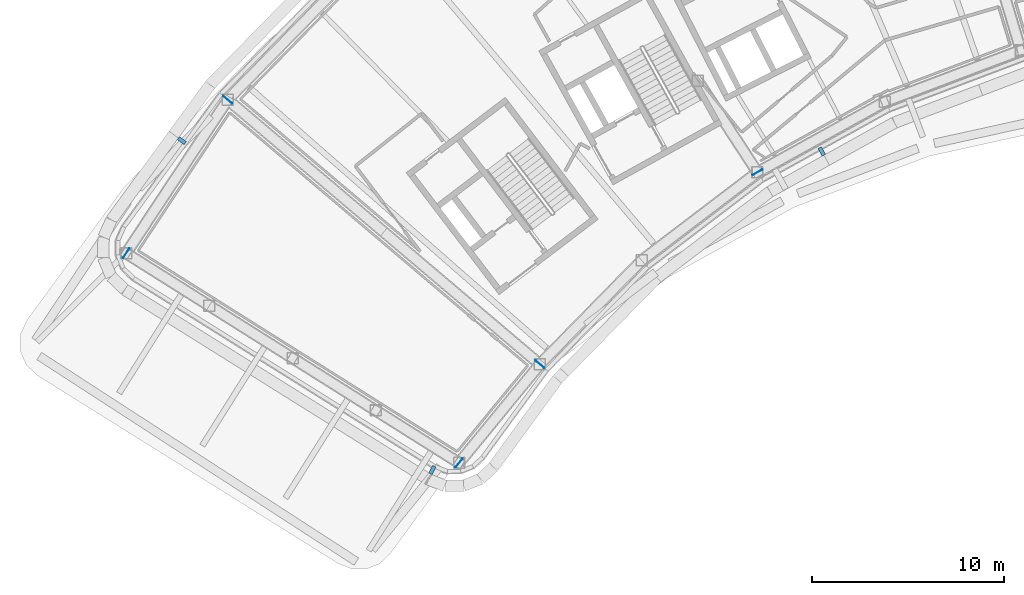
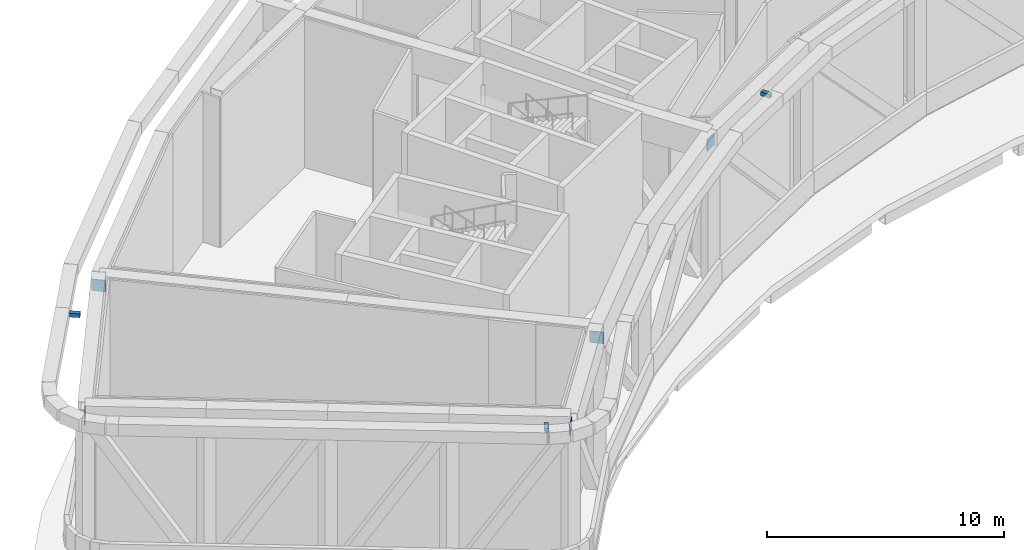
# One storey, part 16 of 27: 8 discrete accessories.
"""IFC4 building model written with IfcOpenShell, lengths in metres."""

from ifc_helpers import new_model, si_unit, direction, frame, origin, origin_2d, place, context, subcontext, project, spatial, rectangle, extrude, material, type_object, element, save


model = new_model("IFC4")

# Units and contexts
model_context = context("Model", 3, precision=1e-05, world=origin(), true_north=direction((0.0, 1.0)))
body_context = subcontext(model_context, "Body", "Model", "MODEL_VIEW")
ifc_project = project(units=[si_unit("LENGTHUNIT", "METRE"), si_unit("AREAUNIT", "SQUARE_METRE"), si_unit("VOLUMEUNIT", "CUBIC_METRE"), si_unit("PLANEANGLEUNIT", "RADIAN"), si_unit("MASSUNIT", "GRAM", prefix="KILO")], contexts=[model_context])

# Site, building, storey
site_placement = place(None, origin())
site = spatial("IfcSite", under=ifc_project, at=site_placement, CompositionType="ELEMENT")
building_placement = place(site_placement, origin())
building = spatial("IfcBuilding", under=site, at=building_placement, Name="Tuul Gate Civic Tower", CompositionType="ELEMENT")
storey_placement = place(building_placement, frame((0.0, 0.0, 201.5)))
storey = spatial("IfcBuildingStorey", under=building, at=storey_placement, Name="Wind floor 1", CompositionType="ELEMENT", Elevation=201.5)

# Discrete accessories
ifc_material_1 = material(Name="Steel S355", Category="steel")
discrete_accessory_type_1 = type_object("IfcDiscreteAccessoryType", Name="Gusset plate", PredefinedType="BRACKET", material=ifc_material_1)
for number, where, z_axis, x_axis, name in (
    (1, (-50.434814453125, -7.550048828125, 6.702880859375), (0.0, 0.0, 1.0), (0.76282474496, -0.646605295738, 0.0), "Gusset plate"),
    (2, (-34.140625, -21.361572265625, 6.703369140625), (0.0, 0.0, 1.0), (-0.76282474496, 0.646605295738, 0.0), "Gusset plate"),
    (3, (-55.733154296875, -15.56396484375, 6.70361328125), (0.0, 0.0, 1.0), (0.551597524527, 0.834110406922, 0.0), "Gusset plate"),
    (4, (-22.787109375, -11.3388671875, 6.70361328125), (0.0, 0.0, 1.0), (0.874598044765, 0.484848698146, 0.0), "Gusset plate"),
    (5, (-38.36083984375, -26.5029296875, 6.7041015625), (0.0, 0.0, 1.0), (0.634399544235, 0.773005315813, 0.0), "Gusset plate"),
):
    element("IfcDiscreteAccessory", number, at=place(storey_placement, frame(where, z_axis=z_axis, x_axis=x_axis)), inside=storey, type_object=discrete_accessory_type_1, Name=name, PredefinedType="BRACKET", context=body_context, shape_type="SweptSolid", body=[
        extrude(rectangle(XDim=0.60009765625, YDim=0.030029296875, at=origin_2d()), origin(), (0.0, 0.0, 1.0), 0.60009765625),
    ])
ifc_material_2 = material(Name="Stainless steel", Category="steel")
discrete_accessory_type_2 = type_object("IfcDiscreteAccessoryType", Name="Screen bracket", PredefinedType="BRACKET", material=ifc_material_2)
discrete_accessory_1_placement = place(storey_placement, frame((-52.828369140625, -9.686767578125, 7.5498046875), z_axis=(0.0, 0.0, 1.0), x_axis=(-0.803045309849, 0.595917972819, 0.0)))
element("IfcDiscreteAccessory", 6, at=discrete_accessory_1_placement, inside=storey, type_object=discrete_accessory_type_2, Name="Screen bracket 16", PredefinedType="BRACKET", context=body_context, shape_type="SweptSolid", body=[
    extrude(rectangle(XDim=0.449951171875, YDim=0.199951171875, at=origin_2d()), origin(), (0.0, 0.0, 1.0), 0.199951171875),
])
discrete_accessory_2_placement = place(storey_placement, frame((-39.752685546875, -26.869140625, 7.5498046875), z_axis=(0.0, 0.0, 1.0), x_axis=(-0.448843370675, -0.893610445665, 0.0)))
element("IfcDiscreteAccessory", 7, at=discrete_accessory_2_placement, inside=storey, type_object=discrete_accessory_type_2, Name="Screen bracket 19", PredefinedType="BRACKET", context=body_context, shape_type="SweptSolid", body=[
    extrude(rectangle(XDim=0.451904296875, YDim=0.199951171875, at=origin_2d()), origin(), (0.0, 0.0, 1.0), 0.199951171875),
])
discrete_accessory_3_placement = place(storey_placement, frame((-19.431884765625, -10.250244140625, 7.5498046875), z_axis=(0.0, 0.0, 1.0), x_axis=(0.490462729818, -0.871462168232, 0.0)))
element("IfcDiscreteAccessory", 8, at=discrete_accessory_3_placement, inside=storey, type_object=discrete_accessory_type_2, Name="Screen bracket 22", PredefinedType="BRACKET", context=body_context, shape_type="SweptSolid", body=[
    extrude(rectangle(XDim=0.449951171875, YDim=0.199951171875, at=origin_2d()), origin(), (0.0, 0.0, 1.0), 0.199951171875),
])

save(model, "model.ifc")
